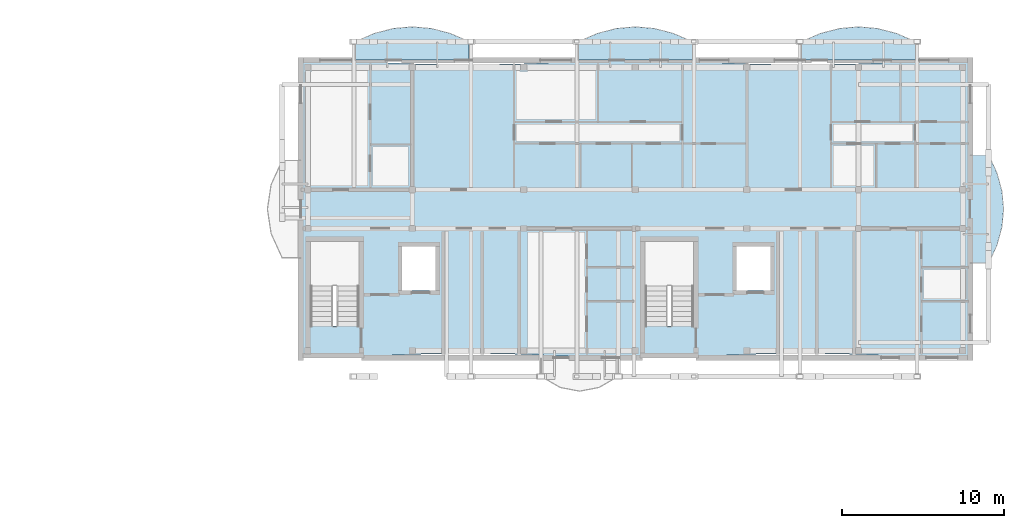
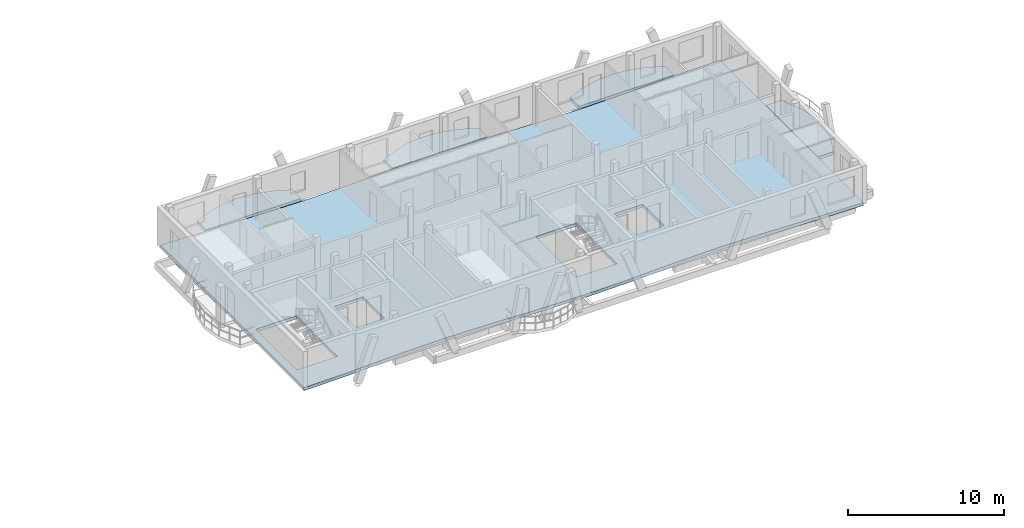
# One storey, part 9 of 33: 5 slabs.
"""IFC4 building model written with IfcOpenShell, lengths in metres."""

from ifc_helpers import new_model, si_unit, direction, frame, origin, place, context, subcontext, project, spatial, polyline, outline, extrude, material, layer, layer_set, type_object, element, save


model = new_model("IFC4")

# Units and contexts
model_context = context("Model", 3, precision=1e-05, world=origin(), true_north=direction((0.0, 1.0)))
body_context = subcontext(model_context, "Body", "Model", "MODEL_VIEW")
ifc_project = project(units=[si_unit("LENGTHUNIT", "METRE"), si_unit("AREAUNIT", "SQUARE_METRE"), si_unit("VOLUMEUNIT", "CUBIC_METRE"), si_unit("PLANEANGLEUNIT", "RADIAN"), si_unit("MASSUNIT", "GRAM", prefix="KILO")], contexts=[model_context])

# Site, building, storey
site_placement = place(None, origin())
site = spatial("IfcSite", under=ifc_project, at=site_placement, CompositionType="ELEMENT")
building_placement = place(site_placement, origin())
building = spatial("IfcBuilding", under=site, at=building_placement, Name="Zavelmont Quarter", CompositionType="ELEMENT")
storey_placement = place(building_placement, frame((0.0, 0.0, 30.39990234375)))
storey = spatial("IfcBuildingStorey", under=building, at=storey_placement, Name="L09", CompositionType="ELEMENT", Elevation=30.39990234375)

# Slabs
ifc_material_1 = material(Name="White architectural precast concrete C40/50", Category="concrete")
ifc_layer_1 = layer(ifc_material_1, 0.235107421875)
ifc_layer_set_1 = layer_set([ifc_layer_1], Name="White architectural precast concrete C40/50")
slab_type_1 = type_object("IfcSlabType", Name="SL-BL180", PredefinedType="FLOOR", material=ifc_layer_set_1)
slab_1_placement = place(storey_placement, frame((0.0, 0.0, -0.23486328125)))
element("IfcSlab", 1, at=slab_1_placement, inside=storey, type_object=slab_type_1, Name="L09 Block C street vase 2 balcony SL-BL180", PredefinedType="FLOOR", context=body_context, shape_type="SweptSolid", body=[
    extrude(outline(polyline([(137.016845703125, 116.02001953125), (137.016845703125, 117.1630859375), (135.844482421875, 117.6708984375), (134.67236328125, 117.9755859375), (133.5, 118.076904296875), (132.32763671875, 117.9755859375), (131.155517578125, 117.6708984375), (129.983154296875, 117.1630859375), (129.983154296875, 116.02001953125), (137.016845703125, 116.02001953125)])), origin(), (0.0, 0.0, 1.0), 0.23486328125),
])
slab_2_placement = place(storey_placement, frame((0.0, 0.0, -0.23486328125)))
element("IfcSlab", 2, at=slab_2_placement, inside=storey, type_object=slab_type_1, Name="L09 Block C boulevard vase balcony SL-BL180", PredefinedType="FLOOR", context=body_context, shape_type="SweptSolid", body=[
    extrude(outline(polyline([(168.02001953125, 103.462890625), (169.1630859375, 103.462890625), (169.6708984375, 104.5751953125), (169.9755859375, 105.6875), (170.076904296875, 106.800048828125), (169.9755859375, 107.912353515625), (169.6708984375, 109.02490234375), (169.1630859375, 110.13720703125), (168.02001953125, 110.13720703125), (168.02001953125, 103.462890625)])), origin(), (0.0, 0.0, 1.0), 0.23486328125),
])
ifc_layer_2 = layer(ifc_material_1, 0.2451171875)
ifc_layer_set_2 = layer_set([ifc_layer_2], Name="White architectural precast concrete C40/50")
slab_type_2 = type_object("IfcSlabType", Name="SL-BL200", PredefinedType="FLOOR", material=ifc_layer_set_2)
slab_3_placement = place(storey_placement, frame((0.0, 0.0, -0.244873046875)))
element("IfcSlab", 3, at=slab_3_placement, inside=storey, type_object=slab_type_2, Name="L09 Block C street vase 4 balcony SL-BL200", PredefinedType="FLOOR", context=body_context, shape_type="SweptSolid", body=[
    extrude(outline(polyline([(164.616943359375, 116.02001953125), (164.616943359375, 117.1630859375), (163.444580078125, 117.6708984375), (162.272216796875, 117.9755859375), (161.10009765625, 118.076904296875), (159.927734375, 117.9755859375), (158.75537109375, 117.6708984375), (157.5830078125, 117.1630859375), (157.5830078125, 116.02001953125), (164.616943359375, 116.02001953125)])), origin(), (0.0, 0.0, 1.0), 0.244873046875),
])
ifc_layer_3 = layer(ifc_material_1, 0.2548828125)
ifc_layer_set_3 = layer_set([ifc_layer_3], Name="White architectural precast concrete C40/50")
slab_type_3 = type_object("IfcSlabType", Name="SL-BL220", PredefinedType="FLOOR", material=ifc_layer_set_3)
slab_4_placement = place(storey_placement, frame((0.0, 0.0, -0.2548828125)))
element("IfcSlab", 4, at=slab_4_placement, inside=storey, type_object=slab_type_3, Name="L09 Block C street vase 3 balcony SL-BL220", PredefinedType="FLOOR", context=body_context, shape_type="SweptSolid", body=[
    extrude(outline(polyline([(150.81689453125, 116.02001953125), (150.81689453125, 117.1630859375), (149.64453125, 117.6708984375), (148.472412109375, 117.9755859375), (147.300048828125, 118.076904296875), (146.127685546875, 117.9755859375), (144.955322265625, 117.6708984375), (143.783203125, 117.1630859375), (143.783203125, 116.02001953125), (150.81689453125, 116.02001953125)])), origin(), (0.0, 0.0, 1.0), 0.2548828125),
])
ifc_material_2 = material(Name="Concrete C35/45", Category="concrete")
ifc_layer_4 = layer(ifc_material_2, 0.239990234375)
ifc_layer_set_4 = layer_set([ifc_layer_4], Name="Concrete C35/45")
slab_type_4 = type_object("IfcSlabType", Name="SL-FL240", PredefinedType="FLOOR", material=ifc_layer_set_4)
slab_5_placement = place(storey_placement, frame((0.0, 0.0, -0.239990234375)))
element("IfcSlab", 5, at=slab_5_placement, inside=storey, type_object=slab_type_4, Name="L09 Block C floor slab SL-FL240", PredefinedType="FLOOR", context=body_context, shape_type="SweptSolid", body=[
    extrude(outline(polyline([(126.60009765625, 97.60009765625), (130.050048828125, 97.669921875), (133.5, 97.81005859375), (136.949951171875, 97.8798828125), (140.39990234375, 97.81005859375), (143.85009765625, 97.669921875), (147.300048828125, 97.60009765625), (150.75, 97.669921875), (154.199951171875, 97.81005859375), (157.64990234375, 97.8798828125), (161.10009765625, 97.81005859375), (164.550048828125, 97.669921875), (168.0, 97.60009765625), (168.0, 101.280029296875), (168.0, 104.9599609375), (168.0, 108.639892578125), (168.0, 112.320068359375), (168.0, 116.0), (164.550048828125, 115.929931640625), (161.10009765625, 115.7900390625), (157.64990234375, 115.719970703125), (154.199951171875, 115.7900390625), (150.75, 115.929931640625), (147.300048828125, 116.0), (143.85009765625, 115.929931640625), (140.39990234375, 115.7900390625), (136.949951171875, 115.719970703125), (133.5, 115.7900390625), (130.050048828125, 115.929931640625), (126.60009765625, 116.0), (126.60009765625, 112.320068359375), (126.60009765625, 108.639892578125), (126.60009765625, 104.9599609375), (126.60009765625, 101.280029296875), (126.60009765625, 97.60009765625)]), holes=[polyline([(130.199951171875, 99.574951171875), (130.199951171875, 104.800048828125), (127.199951171875, 104.800048828125), (127.199951171875, 99.574951171875), (130.199951171875, 99.574951171875)]), polyline([(132.85009765625, 101.75), (134.949951171875, 101.75), (134.949951171875, 104.5), (132.85009765625, 104.5), (132.85009765625, 101.75)]), polyline([(150.89990234375, 99.574951171875), (150.89990234375, 104.800048828125), (147.89990234375, 104.800048828125), (147.89990234375, 99.574951171875), (150.89990234375, 99.574951171875)]), polyline([(153.550048828125, 101.75), (155.64990234375, 101.75), (155.64990234375, 104.5), (153.550048828125, 104.5), (153.550048828125, 101.75)])]), origin(), (0.0, 0.0, 1.0), 0.239990234375),
])

save(model, "model.ifc")
